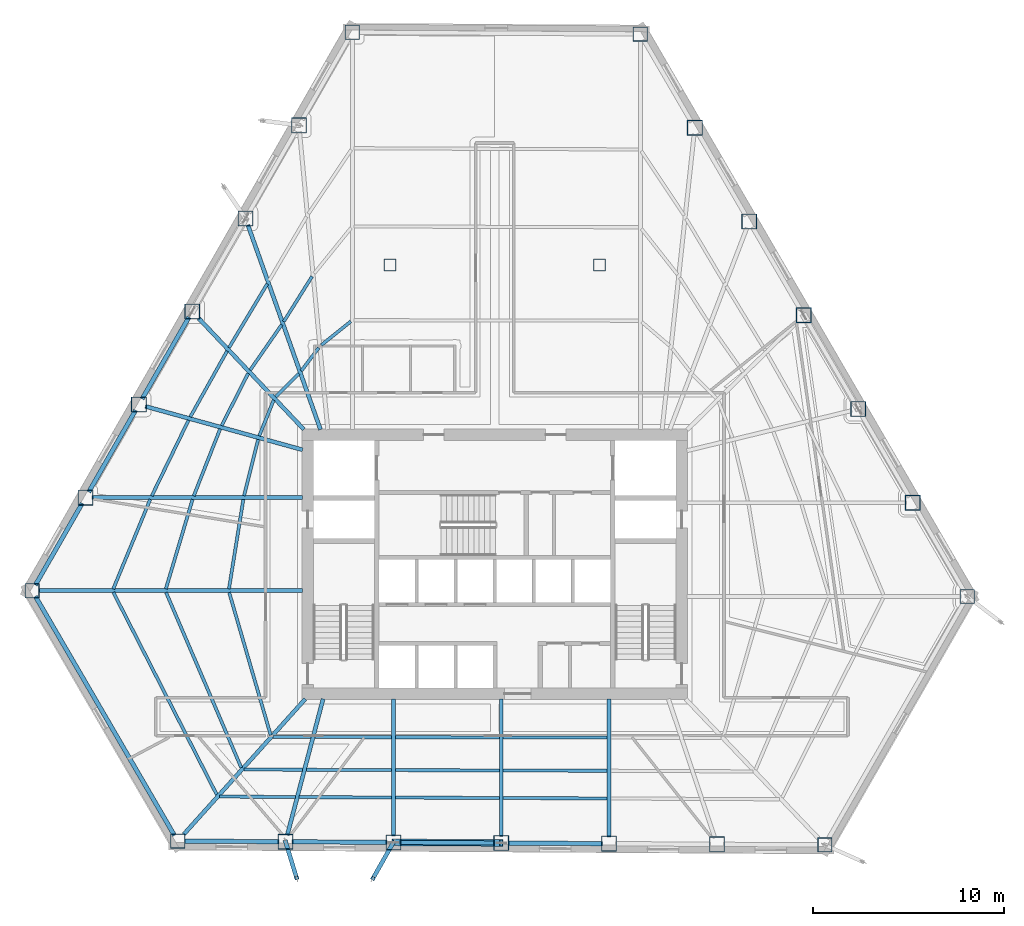
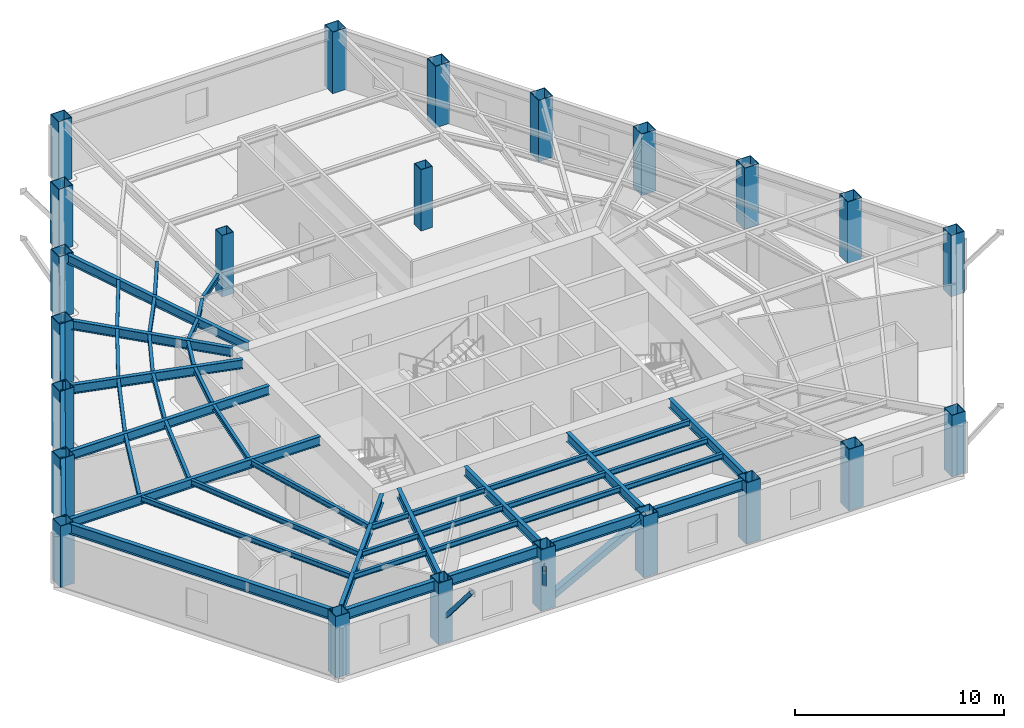
# One storey, part 1 of 12: 48 beams, 23 columns, 3 members.
"""IFC4 building model written with IfcOpenShell, lengths in metres."""

from ifc_helpers import new_model, si_unit, direction, frame, origin, origin_2d, place, context, subcontext, project, spatial, hollow_rectangle, i_section, extrude, material, material_profile, profile_set, type_object, element, save


model = new_model("IFC4")

# Units and contexts
model_context = context("Model", 3, precision=1e-05, world=origin(), true_north=direction((0.0, 1.0)))
body_context = subcontext(model_context, "Body", "Model", "MODEL_VIEW")
ifc_project = project(units=[si_unit("LENGTHUNIT", "METRE"), si_unit("AREAUNIT", "SQUARE_METRE"), si_unit("VOLUMEUNIT", "CUBIC_METRE"), si_unit("PLANEANGLEUNIT", "RADIAN"), si_unit("MASSUNIT", "GRAM", prefix="KILO")], contexts=[model_context])

# Site, building, storey
site_placement = place(None, origin())
site = spatial("IfcSite", under=ifc_project, at=site_placement, CompositionType="ELEMENT")
building_placement = place(site_placement, origin())
building = spatial("IfcBuilding", under=site, at=building_placement, Name="Kavelnor Concourse Tower", CompositionType="ELEMENT")
storey_placement = place(building_placement, frame((0.0, 0.0, 44.5)))
storey = spatial("IfcBuildingStorey", under=building, at=storey_placement, Name="L11", CompositionType="ELEMENT", Elevation=44.5)

# Columns
ifc_material = material(Name="Steel Grade 350", Category="steel")
ifc_material_profile_1 = material_profile(ifc_material, hollow_rectangle(XDim=0.760009765625, YDim=0.760009765625, WallThickness=0.034912109375, at=origin_2d()), Name="SHS 760x760x35")
ifc_profile_set_1 = profile_set([ifc_material_profile_1], Name="Steel Grade 350")
column_type_1 = type_object("IfcColumnType", Name="COL-FOLD-Z1", PredefinedType="COLUMN", material=ifc_profile_set_1)
for number, where, z_axis, x_axis, name in (
    (1, (30.526611328125, 44.00634765625, 0.0), (0.0, 0.0, 1.0), (1.0, 0.0, 0.0), "L11 Perimeter Corner-Fold Column F0-B0"),
    (2, (13.73193359375, 14.713623046875, 0.0), (0.0, 0.0, 1.0), (1.0, 0.0, 0.0), "L11 Perimeter Corner-Fold Column F0-B6"),
    (3, (21.36767578125, 1.57861328125, 0.0), (0.0, 0.0, 1.0), (1.0, 0.0, 0.0), "L11 Perimeter Corner-Fold Column F1-B0"),
    (4, (55.315185546875, 1.37548828125, 0.0), (0.0, 0.0, 1.0), (1.0, 0.0, 0.0), "L11 Perimeter Corner-Fold Column F1-B6"),
    (5, (62.78857421875, 14.409912109375, 0.0), (0.0, 0.0, 1.0), (1.0, 0.0, 0.0), "L11 Perimeter Corner-Fold Column F2-B0"),
    (6, (45.6357421875, 43.916015625, 0.0), (0.0, 0.0, 1.0), (1.0, 0.0, 0.0), "L11 Perimeter Corner-Fold Column F2-B6"),
):
    element("IfcColumn", number, at=place(storey_placement, frame(where, z_axis=z_axis, x_axis=x_axis)), inside=storey, type_object=column_type_1, Name=name, PredefinedType="COLUMN", context=body_context, shape_type="SweptSolid", body=[
        extrude(hollow_rectangle(XDim=0.760009765625, YDim=0.760009765625, WallThickness=0.034912109375, at=origin_2d()), origin(), (0.0, 0.0, 1.0), 3.590087890625),
    ])
ifc_material_profile_2 = material_profile(ifc_material, hollow_rectangle(XDim=0.800048828125, YDim=0.800048828125, WallThickness=0.035888671875, at=origin_2d()), Name="SHS 800x800x36")
ifc_profile_set_2 = profile_set([ifc_material_profile_2], Name="Steel Grade 350")
column_type_2 = type_object("IfcColumnType", Name="COL-TUBE-Z1", PredefinedType="COLUMN", material=ifc_profile_set_2)
for number, where, z_axis, x_axis, name in (
    (7, (27.7275390625, 39.124267578125, 0.0), (0.0, 0.0, 1.0), (1.0, 0.0, 0.0), "L11 Perimeter Framed-Tube Column F0-B1"),
    (8, (24.928466796875, 34.2421875, 0.0), (0.0, 0.0, 1.0), (1.0, 0.0, 0.0), "L11 Perimeter Framed-Tube Column F0-B2"),
    (9, (22.12939453125, 29.360107421875, 0.0), (0.0, 0.0, 1.0), (1.0, 0.0, 0.0), "L11 Perimeter Framed-Tube Column F0-B3"),
    (10, (19.330078125, 24.477783203125, 0.0), (0.0, 0.0, 1.0), (1.0, 0.0, 0.0), "L11 Perimeter Framed-Tube Column F0-B4"),
    (11, (16.531005859375, 19.595703125, 0.0), (0.0, 0.0, 1.0), (1.0, 0.0, 0.0), "L11 Perimeter Framed-Tube Column F0-B5"),
    (12, (27.025634765625, 1.544921875, 0.0), (0.0, 0.0, 1.0), (1.0, 0.0, 0.0), "L11 Perimeter Framed-Tube Column F1-B1"),
    (13, (32.68359375, 1.510986328125, 0.0), (0.0, 0.0, 1.0), (1.0, 0.0, 0.0), "L11 Perimeter Framed-Tube Column F1-B2"),
    (14, (38.34130859375, 1.47705078125, 0.0), (0.0, 0.0, 1.0), (1.0, 0.0, 0.0), "L11 Perimeter Framed-Tube Column F1-B3"),
    (15, (43.99951171875, 1.443115234375, 0.0), (0.0, 0.0, 1.0), (1.0, 0.0, 0.0), "L11 Perimeter Framed-Tube Column F1-B4"),
    (16, (49.6572265625, 1.4091796875, 0.0), (0.0, 0.0, 1.0), (1.0, 0.0, 0.0), "L11 Perimeter Framed-Tube Column F1-B5"),
    (17, (59.9296875, 19.32763671875, 0.0), (0.0, 0.0, 1.0), (1.0, 0.0, 0.0), "L11 Perimeter Framed-Tube Column F2-B1"),
    (18, (57.07080078125, 24.2451171875, 0.0), (0.0, 0.0, 1.0), (1.0, 0.0, 0.0), "L11 Perimeter Framed-Tube Column F2-B2"),
    (19, (54.212158203125, 29.162841796875, 0.0), (0.0, 0.0, 1.0), (1.0, 0.0, 0.0), "L11 Perimeter Framed-Tube Column F2-B3"),
    (20, (51.353515625, 34.08056640625, 0.0), (0.0, 0.0, 1.0), (1.0, 0.0, 0.0), "L11 Perimeter Framed-Tube Column F2-B4"),
    (21, (48.49462890625, 38.998291015625, 0.0), (0.0, 0.0, 1.0), (1.0, 0.0, 0.0), "L11 Perimeter Framed-Tube Column F2-B5"),
):
    element("IfcColumn", number, at=place(storey_placement, frame(where, z_axis=z_axis, x_axis=x_axis)), inside=storey, type_object=column_type_2, Name=name, PredefinedType="COLUMN", context=body_context, shape_type="SweptSolid", body=[
        extrude(hollow_rectangle(XDim=0.800048828125, YDim=0.800048828125, WallThickness=0.035888671875, at=origin_2d()), origin(), (0.0, 0.0, 1.0), 3.590087890625),
    ])
ifc_material_profile_3 = material_profile(ifc_material, hollow_rectangle(XDim=0.639892578125, YDim=0.639892578125, WallThickness=0.028076171875, at=origin_2d()), Name="SHS 640x640x28")
ifc_profile_set_3 = profile_set([ifc_material_profile_3], Name="Steel Grade 350")
column_type_3 = type_object("IfcColumnType", Name="COL-TUBE-Z3", PredefinedType="COLUMN", material=ifc_profile_set_3)
for number, where, z_axis, x_axis, name in (
    (22, (32.5, 31.800048828125, 0.0), (0.0, 0.0, 1.0), (1.0, 0.0, 0.0), "L11 North Interior Gravity Column BC-NW"),
    (23, (43.5, 31.800048828125, 0.0), (0.0, 0.0, 1.0), (1.0, 0.0, 0.0), "L11 North Interior Gravity Column BC-NE"),
):
    element("IfcColumn", number, at=place(storey_placement, frame(where, z_axis=z_axis, x_axis=x_axis)), inside=storey, type_object=column_type_3, Name=name, PredefinedType="COLUMN", context=body_context, shape_type="SweptSolid", body=[
        extrude(hollow_rectangle(XDim=0.639892578125, YDim=0.639892578125, WallThickness=0.028076171875, at=origin_2d()), origin(), (0.0, 0.0, 1.0), 3.590087890625),
    ])

# Beams
ifc_material_profile_4 = material_profile(ifc_material, i_section(OverallWidth=0.166015625, OverallDepth=0.306884765625, WebThickness=0.006591796875, FlangeThickness=0.01171875, at=origin_2d()), Name="310UB46")
ifc_profile_set_4 = profile_set([ifc_material_profile_4], Name="Steel Grade 350")
beam_type_1 = type_object("IfcBeamType", Name="BM-JOIST-310", PredefinedType="JOIST", material=ifc_profile_set_4)
beam_1_placement = place(storey_placement, frame((24.070068359375, 14.619140625, 3.4365234375), z_axis=(0.279252868375, -0.960217597998, 0.0), x_axis=(0.960217597998, 0.279252868375, 0.0)))
element("IfcBeam", 24, at=beam_1_placement, inside=storey, type_object=beam_type_1, Name="L11 Secondary Composite Joist 01-1", PredefinedType="JOIST", context=body_context, shape_type="SweptSolid", body=[
    extrude(i_section(OverallWidth=0.166015625, OverallDepth=0.306884765625, WebThickness=0.006591796875, FlangeThickness=0.01171875, at=origin_2d()), origin(), (0.0, 0.0, 1.0), 7.793212890625),
])
beam_2_placement = place(storey_placement, frame((20.7578125, 14.623291015625, 3.4365234375), z_axis=(0.394410979264, -0.918934154026, 0.0), x_axis=(0.918934154026, 0.394410979264, 0.0)))
element("IfcBeam", 25, at=beam_2_placement, inside=storey, type_object=beam_type_1, Name="L11 Secondary Composite Joist 01-2", PredefinedType="JOIST", context=body_context, shape_type="SweptSolid", body=[
    extrude(i_section(OverallWidth=0.166015625, OverallDepth=0.306884765625, WebThickness=0.006591796875, FlangeThickness=0.01171875, at=origin_2d()), origin(), (0.0, 0.0, 1.0), 10.0068359375),
])
beam_3_placement = place(storey_placement, frame((17.994384765625, 14.6259765625, 3.4365234375), z_axis=(0.455121157403, -0.890429521121, 0.0), x_axis=(0.890429521121, 0.455121157403, 0.0)))
element("IfcBeam", 26, at=beam_3_placement, inside=storey, type_object=beam_type_1, Name="L11 Secondary Composite Joist 01-3", PredefinedType="JOIST", context=body_context, shape_type="SweptSolid", body=[
    extrude(i_section(OverallWidth=0.166015625, OverallDepth=0.306884765625, WebThickness=0.006591796875, FlangeThickness=0.01171875, at=origin_2d()), origin(), (0.0, 0.0, 1.0), 11.927978515625),
])
beam_4_placement = place(storey_placement, frame((26.37255859375, 7.041259765625, 3.4365234375), z_axis=(0.999996708688, -0.002565660462, 0.0), x_axis=(0.002565660462, 0.999996708688, 0.0)))
element("IfcBeam", 27, at=beam_4_placement, inside=storey, type_object=beam_type_1, Name="L11 Secondary Composite Joist 02-1", PredefinedType="JOIST", context=body_context, shape_type="SweptSolid", body=[
    extrude(i_section(OverallWidth=0.166015625, OverallDepth=0.306884765625, WebThickness=0.006591796875, FlangeThickness=0.01171875, at=origin_2d()), origin(), (0.0, 0.0, 1.0), 1.998291015625),
])
beam_5_placement = place(storey_placement, frame((24.841796875, 5.3369140625, 3.4365234375), z_axis=(0.999984582945, -0.005552825703, 0.0), x_axis=(0.005552825703, 0.999984582945, 0.0)))
element("IfcBeam", 28, at=beam_5_placement, inside=storey, type_object=beam_type_1, Name="L11 Secondary Composite Joist 02-2", PredefinedType="JOIST", context=body_context, shape_type="SweptSolid", body=[
    extrude(i_section(OverallWidth=0.166015625, OverallDepth=0.306884765625, WebThickness=0.006591796875, FlangeThickness=0.01171875, at=origin_2d()), origin(), (0.0, 0.0, 1.0), 3.07763671875),
])
beam_6_placement = place(storey_placement, frame((23.56640625, 3.91650390625, 3.4365234375), z_axis=(0.999976782685, -0.006814256423, 0.0), x_axis=(0.006814256423, 0.999976782685, 0.0)))
element("IfcBeam", 29, at=beam_6_placement, inside=storey, type_object=beam_type_1, Name="L11 Secondary Composite Joist 02-3", PredefinedType="JOIST", context=body_context, shape_type="SweptSolid", body=[
    extrude(i_section(OverallWidth=0.166015625, OverallDepth=0.306884765625, WebThickness=0.006591796875, FlangeThickness=0.01171875, at=origin_2d()), origin(), (0.0, 0.0, 1.0), 3.976806640625),
])
beam_7_placement = place(storey_placement, frame((28.56787109375, 7.035888671875, 3.4365234375), z_axis=(0.99999773764, -0.002127137524, 0.0), x_axis=(0.002127137524, 0.99999773764, 0.0)))
element("IfcBeam", 30, at=beam_7_placement, inside=storey, type_object=beam_type_1, Name="L11 Secondary Composite Joist 03-1", PredefinedType="JOIST", context=body_context, shape_type="SweptSolid", body=[
    extrude(i_section(OverallWidth=0.166015625, OverallDepth=0.306884765625, WebThickness=0.006591796875, FlangeThickness=0.01171875, at=origin_2d()), origin(), (0.0, 0.0, 1.0), 4.01708984375),
])
beam_8_placement = place(storey_placement, frame((28.116455078125, 5.319091796875, 3.4365234375), z_axis=(0.999992686643, -0.003824481673, 0.0), x_axis=(0.003824481673, 0.999992686643, 0.0)))
element("IfcBeam", 31, at=beam_8_placement, inside=storey, type_object=beam_type_1, Name="L11 Secondary Composite Joist 03-2", PredefinedType="JOIST", context=body_context, shape_type="SweptSolid", body=[
    extrude(i_section(OverallWidth=0.166015625, OverallDepth=0.306884765625, WebThickness=0.006591796875, FlangeThickness=0.01171875, at=origin_2d()), origin(), (0.0, 0.0, 1.0), 4.468505859375),
])
beam_9_placement = place(storey_placement, frame((27.740234375, 3.88818359375, 3.4365234375), z_axis=(0.999987805731, -0.004938460238, 0.0), x_axis=(0.004938460238, 0.999987805731, 0.0)))
element("IfcBeam", 32, at=beam_9_placement, inside=storey, type_object=beam_type_1, Name="L11 Secondary Composite Joist 03-3", PredefinedType="JOIST", context=body_context, shape_type="SweptSolid", body=[
    extrude(i_section(OverallWidth=0.166015625, OverallDepth=0.306884765625, WebThickness=0.006591796875, FlangeThickness=0.01171875, at=origin_2d()), origin(), (0.0, 0.0, 1.0), 4.8447265625),
])
for number, where, z_axis, x_axis, name in (
    (33, (32.781982421875, 7.02685546875, 3.4365234375), (0.999998556948, -0.001698853056, 0.0), (0.001698853056, 0.999998556948, 0.0), "L11 Secondary Composite Joist 04-1"),
    (34, (32.781982421875, 5.301513671875, 3.4365234375), (0.999994962337, -0.003174161406, 0.0), (0.003174161406, 0.999994962337, 0.0), "L11 Secondary Composite Joist 04-2"),
    (35, (32.781982421875, 3.86328125, 3.4365234375), (0.999990790158, -0.004291805966, 0.0), (0.004291805966, 0.999990790158, 0.0), "L11 Secondary Composite Joist 04-3"),
    (36, (38.43994140625, 7.017333984375, 3.4365234375), (0.999998631899, -0.001654146521, 0.0), (0.001654146521, 0.999998631899, 0.0), "L11 Secondary Composite Joist 05-1"),
    (37, (38.43994140625, 5.28369140625, 3.4365234375), (0.99999524215, -0.003084749272, 0.0), (0.003084749272, 0.99999524215, 0.0), "L11 Secondary Composite Joist 05-2"),
    (38, (38.43994140625, 3.839111328125, 3.4365234375), (0.99999059729, -0.004336511442, 0.0), (0.004336511442, 0.99999059729, 0.0), "L11 Secondary Composite Joist 05-3"),
):
    element("IfcBeam", number, at=place(storey_placement, frame(where, z_axis=z_axis, x_axis=x_axis)), inside=storey, type_object=beam_type_1, Name=name, PredefinedType="JOIST", context=body_context, shape_type="SweptSolid", body=[
        extrude(i_section(OverallWidth=0.166015625, OverallDepth=0.306884765625, WebThickness=0.006591796875, FlangeThickness=0.01171875, at=origin_2d()), origin(), (0.0, 0.0, 1.0), 5.4609375),
    ])
beam_10_placement = place(storey_placement, frame((30.449951171875, 28.840087890625, 3.4365234375), z_axis=(-0.779366247003, -0.626568633936, 0.0), x_axis=(0.626568633936, -0.779366247003, 0.0)))
element("IfcBeam", 39, at=beam_10_placement, inside=storey, type_object=beam_type_1, Name="L11 Secondary Composite Joist 16-1", PredefinedType="JOIST", context=body_context, shape_type="SweptSolid", body=[
    extrude(i_section(OverallWidth=0.166015625, OverallDepth=0.306884765625, WebThickness=0.006591796875, FlangeThickness=0.01171875, at=origin_2d()), origin(), (0.0, 0.0, 1.0), 1.984375),
])
beam_11_placement = place(storey_placement, frame((28.767333984375, 27.456298828125, 3.4365234375), z_axis=(-0.603088276705, -0.797674451453, 0.0), x_axis=(0.797674451453, -0.603088276705, 0.0)))
element("IfcBeam", 40, at=beam_11_placement, inside=storey, type_object=beam_type_1, Name="L11 Secondary Composite Joist 17-1", PredefinedType="JOIST", context=body_context, shape_type="SweptSolid", body=[
    extrude(i_section(OverallWidth=0.166015625, OverallDepth=0.306884765625, WebThickness=0.006591796875, FlangeThickness=0.01171875, at=origin_2d()), origin(), (0.0, 0.0, 1.0), 1.515625),
])
beam_12_placement = place(storey_placement, frame((28.418701171875, 31.201171875, 3.4365234375), z_axis=(-0.531197796163, -0.84724783939, 0.0), x_axis=(0.84724783939, -0.531197796163, 0.0)))
element("IfcBeam", 41, at=beam_12_placement, inside=storey, type_object=beam_type_1, Name="L11 Secondary Composite Joist 17-2", PredefinedType="JOIST", context=body_context, shape_type="SweptSolid", body=[
    extrude(i_section(OverallWidth=0.166015625, OverallDepth=0.306884765625, WebThickness=0.006591796875, FlangeThickness=0.01171875, at=origin_2d()), origin(), (0.0, 0.0, 1.0), 2.799560546875),
])
beam_13_placement = place(storey_placement, frame((27.724609375, 26.098876953125, 3.4365234375), z_axis=(-0.704624358875, -0.709580518955, 0.0), x_axis=(0.709580518955, -0.704624358875, 0.0)))
element("IfcBeam", 42, at=beam_13_placement, inside=storey, type_object=beam_type_1, Name="L11 Secondary Composite Joist 18-1", PredefinedType="JOIST", context=body_context, shape_type="SweptSolid", body=[
    extrude(i_section(OverallWidth=0.166015625, OverallDepth=0.306884765625, WebThickness=0.006591796875, FlangeThickness=0.01171875, at=origin_2d()), origin(), (0.0, 0.0, 1.0), 1.72412109375),
])
beam_14_placement = place(storey_placement, frame((26.822998046875, 28.664794921875, 3.4365234375), z_axis=(-0.570805035319, -0.821085629916, 0.0), x_axis=(0.821085629916, -0.570805035319, 0.0)))
element("IfcBeam", 43, at=beam_14_placement, inside=storey, type_object=beam_type_1, Name="L11 Secondary Composite Joist 18-2", PredefinedType="JOIST", context=body_context, shape_type="SweptSolid", body=[
    extrude(i_section(OverallWidth=0.166015625, OverallDepth=0.306884765625, WebThickness=0.006591796875, FlangeThickness=0.01171875, at=origin_2d()), origin(), (0.0, 0.0, 1.0), 2.895263671875),
])
beam_15_placement = place(storey_placement, frame((26.06640625, 30.808837890625, 3.4365234375), z_axis=(-0.513916406374, -0.857840269083, 0.0), x_axis=(0.857840269083, -0.513916406374, 0.0)))
element("IfcBeam", 44, at=beam_15_placement, inside=storey, type_object=beam_type_1, Name="L11 Secondary Composite Joist 18-3", PredefinedType="JOIST", context=body_context, shape_type="SweptSolid", body=[
    extrude(i_section(OverallWidth=0.166015625, OverallDepth=0.306884765625, WebThickness=0.006591796875, FlangeThickness=0.01171875, at=origin_2d()), origin(), (0.0, 0.0, 1.0), 3.905029296875),
])
beam_16_placement = place(storey_placement, frame((26.403564453125, 24.71435546875, 3.4365234375), z_axis=(-0.37350723969, -0.92762726453, 0.0), x_axis=(0.92762726453, -0.37350723969, 0.0)))
element("IfcBeam", 45, at=beam_16_placement, inside=storey, type_object=beam_type_1, Name="L11 Secondary Composite Joist 19-1", PredefinedType="JOIST", context=body_context, shape_type="SweptSolid", body=[
    extrude(i_section(OverallWidth=0.166015625, OverallDepth=0.306884765625, WebThickness=0.006591796875, FlangeThickness=0.01171875, at=origin_2d()), origin(), (0.0, 0.0, 1.0), 2.027587890625),
])
beam_17_placement = place(storey_placement, frame((25.069580078125, 26.118896484375, 3.4365234375), z_axis=(-0.453425166634, -0.891294349956, 0.0), x_axis=(0.891294349956, -0.453425166634, 0.0)))
element("IfcBeam", 46, at=beam_17_placement, inside=storey, type_object=beam_type_1, Name="L11 Secondary Composite Joist 19-2", PredefinedType="JOIST", context=body_context, shape_type="SweptSolid", body=[
    extrude(i_section(OverallWidth=0.166015625, OverallDepth=0.306884765625, WebThickness=0.006591796875, FlangeThickness=0.01171875, at=origin_2d()), origin(), (0.0, 0.0, 1.0), 3.076171875),
])
beam_18_placement = place(storey_placement, frame((23.9609375, 27.288330078125, 3.4365234375), z_axis=(-0.48787109677, -0.872915684895, 0.0), x_axis=(0.872915684895, -0.48787109677, 0.0)))
element("IfcBeam", 47, at=beam_18_placement, inside=storey, type_object=beam_type_1, Name="L11 Secondary Composite Joist 19-3", PredefinedType="JOIST", context=body_context, shape_type="SweptSolid", body=[
    extrude(i_section(OverallWidth=0.166015625, OverallDepth=0.306884765625, WebThickness=0.006591796875, FlangeThickness=0.01171875, at=origin_2d()), origin(), (0.0, 0.0, 1.0), 3.960205078125),
])
beam_19_placement = place(storey_placement, frame((25.585693359375, 22.646728515625, 3.4365234375), z_axis=(-0.24153579714, -0.970391909849, 0.0), x_axis=(0.970391909849, -0.24153579714, 0.0)))
element("IfcBeam", 48, at=beam_19_placement, inside=storey, type_object=beam_type_1, Name="L11 Secondary Composite Joist 20-1", PredefinedType="JOIST", context=body_context, shape_type="SweptSolid", body=[
    extrude(i_section(OverallWidth=0.166015625, OverallDepth=0.306884765625, WebThickness=0.006591796875, FlangeThickness=0.01171875, at=origin_2d()), origin(), (0.0, 0.0, 1.0), 3.04541015625),
])
beam_20_placement = place(storey_placement, frame((23.593994140625, 23.19775390625, 3.4365234375), z_axis=(-0.36663315055, -0.930365591001, 0.0), x_axis=(0.930365591001, -0.36663315055, 0.0)))
element("IfcBeam", 49, at=beam_20_placement, inside=storey, type_object=beam_type_1, Name="L11 Secondary Composite Joist 20-2", PredefinedType="JOIST", context=body_context, shape_type="SweptSolid", body=[
    extrude(i_section(OverallWidth=0.166015625, OverallDepth=0.306884765625, WebThickness=0.006591796875, FlangeThickness=0.01171875, at=origin_2d()), origin(), (0.0, 0.0, 1.0), 3.77294921875),
])
beam_21_placement = place(storey_placement, frame((21.937744140625, 23.656494140625, 3.4365234375), z_axis=(-0.437012590399, -0.899455388462, 0.0), x_axis=(0.899455388462, -0.437012590399, 0.0)))
element("IfcBeam", 50, at=beam_21_placement, inside=storey, type_object=beam_type_1, Name="L11 Secondary Composite Joist 20-3", PredefinedType="JOIST", context=body_context, shape_type="SweptSolid", body=[
    extrude(i_section(OverallWidth=0.166015625, OverallDepth=0.306884765625, WebThickness=0.006591796875, FlangeThickness=0.01171875, at=origin_2d()), origin(), (0.0, 0.0, 1.0), 4.416259765625),
])
beam_22_placement = place(storey_placement, frame((24.810791015625, 19.49853515625, 3.4365234375), z_axis=(-0.158542027307, -0.987352229742, 0.0), x_axis=(0.987352229742, -0.158542027307, 0.0)))
element("IfcBeam", 51, at=beam_22_placement, inside=storey, type_object=beam_type_1, Name="L11 Secondary Composite Joist 21-1", PredefinedType="JOIST", context=body_context, shape_type="SweptSolid", body=[
    extrude(i_section(OverallWidth=0.166015625, OverallDepth=0.306884765625, WebThickness=0.006591796875, FlangeThickness=0.01171875, at=origin_2d()), origin(), (0.0, 0.0, 1.0), 4.74755859375),
])
beam_23_placement = place(storey_placement, frame((22.146484375, 19.50146484375, 3.4365234375), z_axis=(-0.285691878657, -0.958321527709, 0.0), x_axis=(0.958321527709, -0.285691878657, 0.0)))
element("IfcBeam", 52, at=beam_23_placement, inside=storey, type_object=beam_type_1, Name="L11 Secondary Composite Joist 21-2", PredefinedType="JOIST", context=body_context, shape_type="SweptSolid", body=[
    extrude(i_section(OverallWidth=0.166015625, OverallDepth=0.306884765625, WebThickness=0.006591796875, FlangeThickness=0.01171875, at=origin_2d()), origin(), (0.0, 0.0, 1.0), 4.8974609375),
])
beam_24_placement = place(storey_placement, frame((19.92724609375, 19.5048828125, 3.4365234375), z_axis=(-0.381558634542, -0.924344637247, 0.0), x_axis=(0.924344637247, -0.381558634542, 0.0)))
element("IfcBeam", 53, at=beam_24_placement, inside=storey, type_object=beam_type_1, Name="L11 Secondary Composite Joist 21-3", PredefinedType="JOIST", context=body_context, shape_type="SweptSolid", body=[
    extrude(i_section(OverallWidth=0.166015625, OverallDepth=0.306884765625, WebThickness=0.006591796875, FlangeThickness=0.01171875, at=origin_2d()), origin(), (0.0, 0.0, 1.0), 5.0849609375),
])
ifc_material_profile_5 = material_profile(ifc_material, i_section(OverallWidth=0.208984375, OverallDepth=0.528076171875, WebThickness=0.009521484375, FlangeThickness=0.01318359375, at=origin_2d()), Name="530UB82")
ifc_profile_set_5 = profile_set([ifc_material_profile_5], Name="Steel Grade 350")
beam_type_2 = type_object("IfcBeamType", Name="BM-PRIMARY-530", PredefinedType="BEAM", material=ifc_profile_set_5)
beam_25_placement = place(storey_placement, frame((28.861083984375, 23.162353515625, 3.325927734375), z_axis=(-0.334482899581, 0.942401819761, 0.0), x_axis=(-0.942401819761, -0.334482899581, 0.0)))
element("IfcBeam", 54, at=beam_25_placement, inside=storey, type_object=beam_type_2, Name="L11 Primary Floor Girder F0-B2", PredefinedType="BEAM", context=body_context, shape_type="SweptSolid", body=[
    extrude(i_section(OverallWidth=0.208984375, OverallDepth=0.528076171875, WebThickness=0.009521484375, FlangeThickness=0.01318359375, at=origin_2d()), origin(), (0.0, 0.0, 1.0), 11.393798828125),
])
beam_26_placement = place(storey_placement, frame((27.98779296875, 23.1708984375, 3.325927734375), z_axis=(-0.68743374283, 0.726247099284, 0.0), x_axis=(-0.726247099284, -0.68743374283, 0.0)))
element("IfcBeam", 55, at=beam_26_placement, inside=storey, type_object=beam_type_2, Name="L11 Primary Floor Girder F0-B3", PredefinedType="BEAM", context=body_context, shape_type="SweptSolid", body=[
    extrude(i_section(OverallWidth=0.208984375, OverallDepth=0.528076171875, WebThickness=0.009521484375, FlangeThickness=0.01318359375, at=origin_2d()), origin(), (0.0, 0.0, 1.0), 8.038818359375),
])
beam_27_placement = place(storey_placement, frame((27.918701171875, 22.10400390625, 3.325927734375), z_axis=(-0.963858057018, 0.266416301906, 0.0), x_axis=(-0.266416301906, -0.963858057018, 0.0)))
element("IfcBeam", 56, at=beam_27_placement, inside=storey, type_object=beam_type_2, Name="L11 Primary Floor Girder F0-B4", PredefinedType="BEAM", context=body_context, shape_type="SweptSolid", body=[
    extrude(i_section(OverallWidth=0.208984375, OverallDepth=0.528076171875, WebThickness=0.009521484375, FlangeThickness=0.01318359375, at=origin_2d()), origin(), (0.0, 0.0, 1.0), 8.556396484375),
])
beam_28_placement = place(storey_placement, frame((27.919921875, 19.595703125, 3.325927734375), z_axis=(-1.0, 0.0, 0.0), x_axis=(0.0, -1.0, 0.0)))
element("IfcBeam", 57, at=beam_28_placement, inside=storey, type_object=beam_type_2, Name="L11 Primary Floor Girder F0-B5", PredefinedType="BEAM", context=body_context, shape_type="SweptSolid", body=[
    extrude(i_section(OverallWidth=0.208984375, OverallDepth=0.528076171875, WebThickness=0.009521484375, FlangeThickness=0.01318359375, at=origin_2d()), origin(), (0.0, 0.0, 1.0), 11.048828125),
])
beam_29_placement = place(storey_placement, frame((27.919921875, 14.713623046875, 3.325927734375), z_axis=(-1.0, 0.0, 0.0), x_axis=(0.0, -1.0, 0.0)))
element("IfcBeam", 58, at=beam_29_placement, inside=storey, type_object=beam_type_2, Name="L11 Primary Floor Girder F0-B6", PredefinedType="BEAM", context=body_context, shape_type="SweptSolid", body=[
    extrude(i_section(OverallWidth=0.208984375, OverallDepth=0.528076171875, WebThickness=0.009521484375, FlangeThickness=0.01318359375, at=origin_2d()), origin(), (0.0, 0.0, 1.0), 13.847900390625),
])
beam_30_placement = place(storey_placement, frame((28.0595703125, 9.02978515625, 3.325927734375), z_axis=(-0.668179994388, -0.743999660685, 0.0), x_axis=(0.743999660685, -0.668179994388, 0.0)))
element("IfcBeam", 59, at=beam_30_placement, inside=storey, type_object=beam_type_2, Name="L11 Primary Floor Girder F1-B0", PredefinedType="BEAM", context=body_context, shape_type="SweptSolid", body=[
    extrude(i_section(OverallWidth=0.208984375, OverallDepth=0.528076171875, WebThickness=0.009521484375, FlangeThickness=0.01318359375, at=origin_2d()), origin(), (0.0, 0.0, 1.0), 9.544189453125),
])
beam_31_placement = place(storey_placement, frame((28.995849609375, 9.038818359375, 3.325927734375), z_axis=(-0.254277187615, -0.967131382935, 0.0), x_axis=(0.967131382935, -0.254277187615, 0.0)))
element("IfcBeam", 60, at=beam_31_placement, inside=storey, type_object=beam_type_2, Name="L11 Primary Floor Girder F1-B1", PredefinedType="BEAM", context=body_context, shape_type="SweptSolid", body=[
    extrude(i_section(OverallWidth=0.208984375, OverallDepth=0.528076171875, WebThickness=0.009521484375, FlangeThickness=0.01318359375, at=origin_2d()), origin(), (0.0, 0.0, 1.0), 7.39599609375),
])
beam_32_placement = place(storey_placement, frame((32.68359375, 9.0400390625, 3.325927734375), z_axis=(0.0, -1.0, 0.0), x_axis=(1.0, 0.0, 0.0)))
element("IfcBeam", 61, at=beam_32_placement, inside=storey, type_object=beam_type_2, Name="L11 Primary Floor Girder F1-B2", PredefinedType="BEAM", context=body_context, shape_type="SweptSolid", body=[
    extrude(i_section(OverallWidth=0.208984375, OverallDepth=0.528076171875, WebThickness=0.009521484375, FlangeThickness=0.01318359375, at=origin_2d()), origin(), (0.0, 0.0, 1.0), 7.189208984375),
])
beam_33_placement = place(storey_placement, frame((38.34130859375, 9.0400390625, 3.325927734375), z_axis=(0.0, -1.0, 0.0), x_axis=(1.0, 0.0, 0.0)))
element("IfcBeam", 62, at=beam_33_placement, inside=storey, type_object=beam_type_2, Name="L11 Primary Floor Girder F1-B3", PredefinedType="BEAM", context=body_context, shape_type="SweptSolid", body=[
    extrude(i_section(OverallWidth=0.208984375, OverallDepth=0.528076171875, WebThickness=0.009521484375, FlangeThickness=0.01318359375, at=origin_2d()), origin(), (0.0, 0.0, 1.0), 7.22314453125),
])
beam_34_placement = place(storey_placement, frame((43.99951171875, 9.0400390625, 3.325927734375), z_axis=(0.0, -1.0, 0.0), x_axis=(1.0, 0.0, 0.0)))
element("IfcBeam", 63, at=beam_34_placement, inside=storey, type_object=beam_type_2, Name="L11 Primary Floor Girder F1-B4", PredefinedType="BEAM", context=body_context, shape_type="SweptSolid", body=[
    extrude(i_section(OverallWidth=0.208984375, OverallDepth=0.528076171875, WebThickness=0.009521484375, FlangeThickness=0.01318359375, at=origin_2d()), origin(), (0.0, 0.0, 1.0), 7.2568359375),
])
ifc_material_profile_6 = material_profile(ifc_material, i_section(OverallWidth=0.22900390625, OverallDepth=0.612060546875, WebThickness=0.011962890625, FlangeThickness=0.01953125, at=origin_2d()), Name="610UB125")
ifc_profile_set_6 = profile_set([ifc_material_profile_6], Name="Steel Grade 350")
beam_type_3 = type_object("IfcBeamType", Name="BM-SPANDREL-Z1", PredefinedType="SPANDREL", material=ifc_profile_set_6)
for number, where, z_axis, x_axis, name in (
    (64, (21.957763671875, 29.060791015625, 3.283935546875), (-0.49739502767, -0.867524170527, 0.0), (0.867524170527, -0.49739502767, 0.0), "L11 Perimeter Tube Spandrel Beam F0-B3"),
    (65, (19.15869140625, 24.1787109375, 3.283935546875), (-0.49739502767, -0.867524170527, 0.0), (0.867524170527, -0.49739502767, 0.0), "L11 Perimeter Tube Spandrel Beam F0-B4"),
    (66, (16.359619140625, 19.29638671875, 3.283935546875), (-0.497416363132, -0.86751193749, 0.0), (0.86751193749, -0.497416363132, 0.0), "L11 Perimeter Tube Spandrel Beam F0-B5"),
):
    element("IfcBeam", number, at=place(storey_placement, frame(where, z_axis=z_axis, x_axis=x_axis)), inside=storey, type_object=beam_type_3, Name=name, PredefinedType="SPANDREL", context=body_context, shape_type="SweptSolid", body=[
        extrude(i_section(OverallWidth=0.22900390625, OverallDepth=0.612060546875, WebThickness=0.011962890625, FlangeThickness=0.01953125, at=origin_2d()), origin(), (0.0, 0.0, 1.0), 4.937744140625),
    ])
beam_35_placement = place(storey_placement, frame((21.712646484375, 1.57666015625, 3.283935546875), z_axis=(0.99998202819, -0.005995272861, 0.0), x_axis=(0.005995272861, 0.99998202819, 0.0)))
element("IfcBeam", 67, at=beam_35_placement, inside=storey, type_object=beam_type_3, Name="L11 Perimeter Tube Spandrel Beam F1-B0", PredefinedType="SPANDREL", context=body_context, shape_type="SweptSolid", body=[
    extrude(i_section(OverallWidth=0.22900390625, OverallDepth=0.612060546875, WebThickness=0.011962890625, FlangeThickness=0.01953125, at=origin_2d()), origin(), (0.0, 0.0, 1.0), 4.968017578125),
])
for number, where, z_axis, x_axis, name in (
    (68, (27.37060546875, 1.542724609375, 3.283935546875), (0.999982026424, -0.005995567487, 0.0), (0.005995567487, 0.999982026424, 0.0), "L11 Perimeter Tube Spandrel Beam F1-B1"),
    (69, (33.028564453125, 1.5087890625, 3.283935546875), (0.999982026424, -0.005995567487, 0.0), (0.005995567487, 0.999982026424, 0.0), "L11 Perimeter Tube Spandrel Beam F1-B2"),
):
    element("IfcBeam", number, at=place(storey_placement, frame(where, z_axis=z_axis, x_axis=x_axis)), inside=storey, type_object=beam_type_3, Name=name, PredefinedType="SPANDREL", context=body_context, shape_type="SweptSolid", body=[
        extrude(i_section(OverallWidth=0.22900390625, OverallDepth=0.612060546875, WebThickness=0.011962890625, FlangeThickness=0.01953125, at=origin_2d()), origin(), (0.0, 0.0, 1.0), 4.9677734375),
    ])
beam_36_placement = place(storey_placement, frame((38.686279296875, 1.474853515625, 3.283935546875), z_axis=(0.999982321595, -0.005946133024, 0.0), x_axis=(0.005946133024, 0.999982321595, 0.0)))
element("IfcBeam", 70, at=beam_36_placement, inside=storey, type_object=beam_type_3, Name="L11 Perimeter Tube Spandrel Beam F1-B3", PredefinedType="SPANDREL", context=body_context, shape_type="SweptSolid", body=[
    extrude(i_section(OverallWidth=0.22900390625, OverallDepth=0.612060546875, WebThickness=0.011962890625, FlangeThickness=0.01953125, at=origin_2d()), origin(), (0.0, 0.0, 1.0), 4.968017578125),
])
beam_37_placement = place(storey_placement, frame((13.905517578125, 14.415283203125, 3.283935546875), z_axis=(0.502573643109, -0.864534402584, 0.0), x_axis=(0.864534402584, 0.502573643109, 0.0)))
element("IfcBeam", 71, at=beam_37_placement, inside=storey, type_object=beam_type_3, Name="L11 Chamfer Facet Spandrel Beam C1", PredefinedType="SPANDREL", context=body_context, shape_type="SweptSolid", body=[
    extrude(i_section(OverallWidth=0.22900390625, OverallDepth=0.612060546875, WebThickness=0.011962890625, FlangeThickness=0.01953125, at=origin_2d()), origin(), (0.0, 0.0, 1.0), 14.5029296875),
])

# Members
ifc_material_profile_7 = material_profile(ifc_material, hollow_rectangle(XDim=0.219970703125, YDim=0.219970703125, WallThickness=0.013916015625, at=origin_2d()), Name="SHS 220x220x14")
ifc_profile_set_7 = profile_set([ifc_material_profile_7], Name="Steel Grade 350")
member_type_1 = type_object("IfcMemberType", Name="MBR-BALC-STRUT-220", PredefinedType="STRUT", material=ifc_profile_set_7)
member_1_placement = place(storey_placement, frame((27.025634765625, 1.544921875, 1.050048828125), z_axis=(0.177911210252, -0.580928487366, 0.794273059995), x_axis=(0.9561649556, 0.292828580713, 0.0)))
element("IfcMember", 72, at=member_1_placement, inside=storey, type_object=member_type_1, Name="L11 Tree Balcony Raking Knee Strut 2-A", PredefinedType="STRUT", context=body_context, shape_type="SweptSolid", body=[
    extrude(hollow_rectangle(XDim=0.219970703125, YDim=0.219970703125, WallThickness=0.013916015625, at=origin_2d()), origin(), (0.0, 0.0, 1.0), 3.27978515625),
])
member_2_placement = place(storey_placement, frame((32.68359375, 1.510986328125, 1.050048828125), z_axis=(-0.316485039177, -0.557750048594, 0.767301833225), x_axis=(0.869736651206, -0.493516116807, 0.0)))
element("IfcMember", 73, at=member_2_placement, inside=storey, type_object=member_type_1, Name="L11 Tree Balcony Raking Knee Strut 2-B", PredefinedType="STRUT", context=body_context, shape_type="SweptSolid", body=[
    extrude(hollow_rectangle(XDim=0.219970703125, YDim=0.219970703125, WallThickness=0.013916015625, at=origin_2d()), origin(), (0.0, 0.0, 1.0), 3.39501953125),
])
ifc_material_profile_8 = material_profile(ifc_material, hollow_rectangle(XDim=0.35009765625, YDim=0.35009765625, WallThickness=0.02001953125, at=origin_2d()), Name="SHS 350x350x20")
ifc_profile_set_8 = profile_set([ifc_material_profile_8], Name="Steel Grade 350")
member_type_2 = type_object("IfcMemberType", Name="MBR-TUBE-DIAG-Z1", PredefinedType="BRACE", material=ifc_profile_set_8)
member_3_placement = place(storey_placement, frame((32.68359375, 1.510986328125, 0.219970703125), z_axis=(0.879320784345, -0.005274255158, 0.476200735459), x_axis=(0.005997993426, 0.999982011876, 0.0)))
element("IfcMember", 74, at=member_3_placement, inside=storey, type_object=member_type_2, Name="L11 Framed-Tube Bracing Diagonal F1-B2", PredefinedType="BRACE", context=body_context, shape_type="SweptSolid", body=[
    extrude(hollow_rectangle(XDim=0.35009765625, YDim=0.35009765625, WallThickness=0.02001953125, at=origin_2d()), origin(), (0.0, 0.0, 1.0), 6.43408203125),
])

save(model, "model.ifc")
